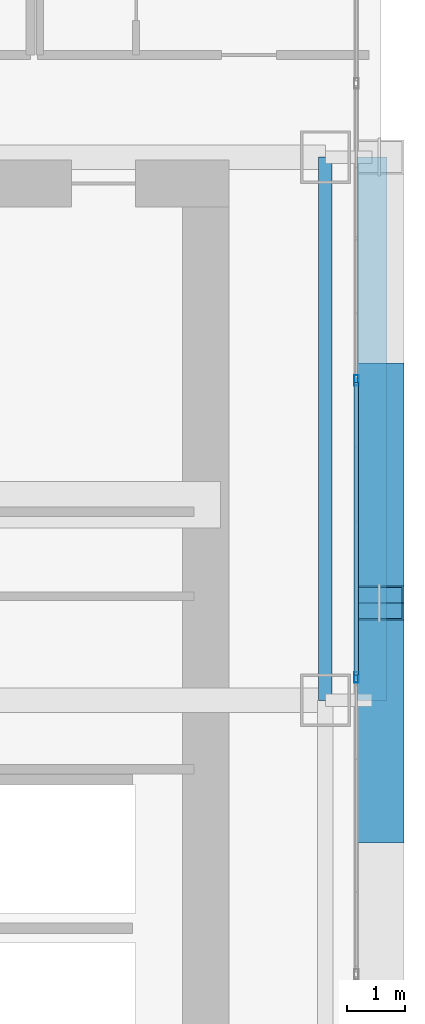
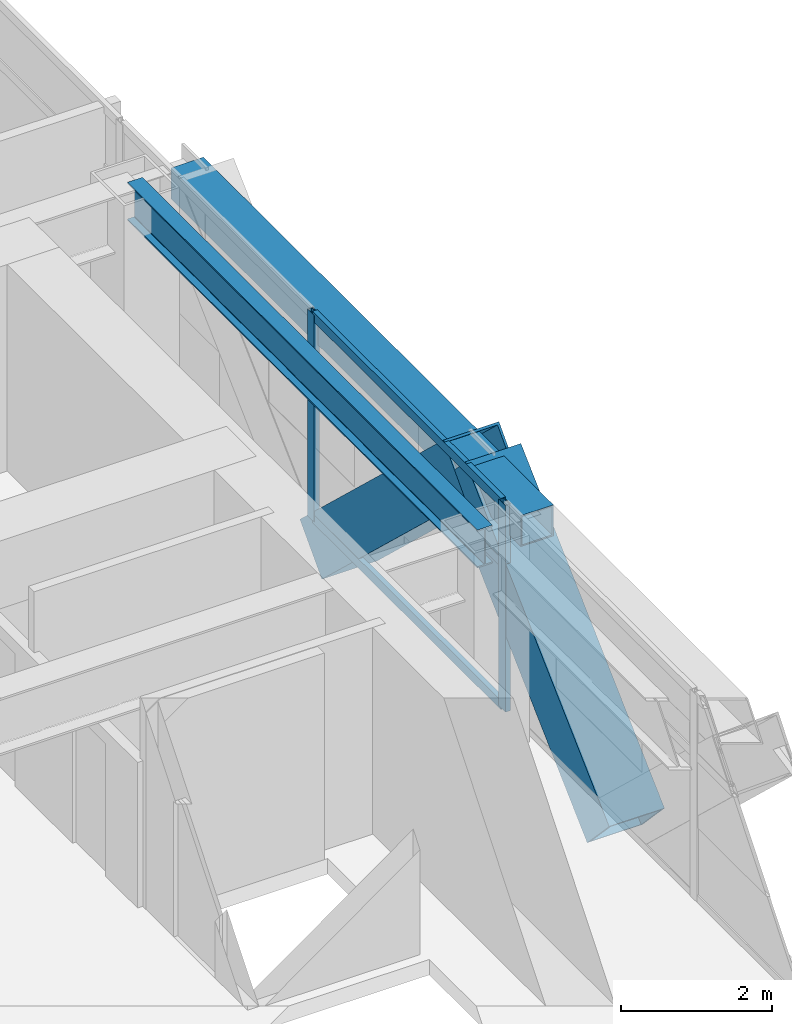
# One storey, part 18 of 41: 7 members, 2 beams, 1 element without a shape of its own.
"""IFC4 building model written with IfcOpenShell, lengths in metres."""

from ifc_helpers import new_model, si_unit, direction, frame, origin, origin_2d, place, context, subcontext, project, spatial, hollow_rectangle, i_section, extrude, source, transform, mapped, material, layer, layer_set, material_profile, profile_set, type_object, element, aggregate, save


model = new_model("IFC4")

# Units and contexts
model_context = context("Model", 3, precision=1e-05, world=origin(), true_north=direction((0.0, 1.0)))
body_context = subcontext(model_context, "Body", "Model", "MODEL_VIEW")
ifc_project = project(units=[si_unit("LENGTHUNIT", "METRE"), si_unit("AREAUNIT", "SQUARE_METRE"), si_unit("VOLUMEUNIT", "CUBIC_METRE"), si_unit("PLANEANGLEUNIT", "RADIAN"), si_unit("MASSUNIT", "GRAM", prefix="KILO")], contexts=[model_context])

# Site, building, storey
site_placement = place(None, origin())
site = spatial("IfcSite", under=ifc_project, at=site_placement, CompositionType="ELEMENT")
building_placement = place(site_placement, origin())
building = spatial("IfcBuilding", under=site, at=building_placement, Name="Ocotamira Hotel", CompositionType="ELEMENT")
storey_placement = place(building_placement, frame((0.0, 0.0, 67.199951171875)))
storey = spatial("IfcBuildingStorey", under=building, at=storey_placement, Name="L16", CompositionType="ELEMENT", Elevation=67.199951171875)

# Beams
ifc_material_1 = material(Name="Steel ASTM A992 Grade 50", Category="steel")
ifc_material_profile_1 = material_profile(ifc_material_1, i_section(OverallWidth=0.22998046875, OverallDepth=0.616943359375, WebThickness=0.01318359375, FlangeThickness=0.022216796875, FilletRadius=0.012939453125, at=origin_2d()), Name="W24X94")
ifc_profile_set_1 = profile_set([ifc_material_profile_1], Name="Steel ASTM A992 Grade 50")
beam_type_1 = type_object("IfcBeamType", Name="BM-PRIM-W24X94", PredefinedType="BEAM", material=ifc_profile_set_1)
shared_shape_1 = source(origin(), body_context, "Body", "SweptSolid", [
    extrude(i_section(OverallWidth=0.22998046875, OverallDepth=0.616943359375, WebThickness=0.01318359375, FlangeThickness=0.022216796875, FilletRadius=0.012939453125, at=origin_2d()), origin(), (0.0, 0.0, 1.0), 9.300048828125),
])
beam_1_placement = place(storey_placement, frame((55.050048828125, 28.14990234375, 3.04150390625), z_axis=(0.0, 1.0, 0.0), x_axis=(-1.0, 0.0, 0.0)))
element("IfcBeam", 1, at=beam_1_placement, inside=storey, type_object=beam_type_1, Name="L16 Beam X55.05 Y28.15-37.45", PredefinedType="BEAM", context=body_context, shape_type="MappedRepresentation", body=[
    mapped(shared_shape_1, transform((0.0, 0.0, 0.0), scale=1.0)),
])
ifc_material_2 = material(Name="Steel ASTM A500 Grade C", Category="steel")
ifc_material_profile_2 = material_profile(ifc_material_2, hollow_rectangle(XDim=0.5, YDim=0.5, WallThickness=0.02001953125, at=origin_2d()), Name="HSS500X500X20")
ifc_profile_set_2 = profile_set([ifc_material_profile_2], Name="Steel ASTM A500 Grade C")
beam_type_2 = type_object("IfcBeamType", Name="BM-SPAN-HSS500", PredefinedType="USERDEFINED", material=ifc_profile_set_2)
shared_shape_2 = source(origin(), body_context, "Body", "SweptSolid", [
    extrude(hollow_rectangle(XDim=0.5, YDim=0.5, WallThickness=0.02001953125, at=origin_2d()), origin(), (0.0, 0.0, 1.0), 9.300048828125),
])
beam_2_placement = place(storey_placement, frame((55.85009765625, 28.14990234375, 3.10009765625), z_axis=(0.0, 1.0, 0.0), x_axis=(-1.0, 0.0, 0.0)))
element("IfcBeam", 2, at=beam_2_placement, inside=storey, type_object=beam_type_2, Name="L16 Edge Spandrel E Y28.15-37.45", ObjectType="SPANDREL", PredefinedType="USERDEFINED", context=body_context, shape_type="MappedRepresentation", body=[
    mapped(shared_shape_2, transform((0.0, 0.0, 0.0), scale=1.0)),
])

# Members
ifc_material_3 = material(Name="Pale-metal coated steel ASTM A913 Grade 65", Category="steel")
ifc_material_profile_3 = material_profile(ifc_material_3, hollow_rectangle(XDim=0.85009765625, YDim=0.85009765625, WallThickness=0.035888671875, at=origin_2d()), Name="BOX850X850X36")
ifc_profile_set_3 = profile_set([ifc_material_profile_3], Name="Pale-metal coated steel ASTM A913 Grade 65")
member_type_1 = type_object("IfcMemberType", Name="MEM-EXO-BOX850", PredefinedType="BRACE", material=ifc_profile_set_3)
shared_shape_3 = source(origin(), body_context, "Body", "SweptSolid", [
    extrude(hollow_rectangle(XDim=0.85009765625, YDim=0.85009765625, WallThickness=0.035888671875, at=origin_2d()), origin(), (0.0, 0.0, 1.0), 5.24658203125),
])
for number, where, z_axis, x_axis, name in (
    (3, (55.969970703125, 26.0, -0.5), (0.0, 0.727442733726, 0.686168397078), (-1.0, 0.0, 0.0), "L16 Exoskeleton Diagrid E1.2"),
    (4, (55.969970703125, 33.63330078125, -0.5), (0.0, -0.727442733726, 0.686168397078), (1.0, 0.0, 0.0), "L16 Exoskeleton Diagrid E2.1"),
):
    element("IfcMember", number, at=place(storey_placement, frame(where, z_axis=z_axis, x_axis=x_axis)), inside=storey, type_object=member_type_1, Name=name, PredefinedType="BRACE", context=body_context, shape_type="MappedRepresentation", body=[
        mapped(shared_shape_3, transform((0.0, 0.0, 0.0), scale=1.0)),
    ])

# Curtain wall, members
ifc_material_4 = material(Name="Anodised pale-metal aluminium and solar glass", Category="aluminium")
ifc_layer = layer(ifc_material_4, 0.179931640625)
ifc_layer_set = layer_set([ifc_layer], Name="Anodised pale-metal aluminium and solar glass")
curtain_wall_type = type_object("IfcCurtainWallType", Name="CW-SYS2-Z1", PredefinedType="NOTDEFINED", material=ifc_layer_set)
curtain_wall_placement = place(storey_placement, origin())
curtain_wall = element("IfcCurtainWall", 5, at=curtain_wall_placement, inside=storey, type_object=curtain_wall_type, Name="L16 Curtain Wall CW-2 CW-L16-E", PredefinedType="NOTDEFINED")
ifc_material_5 = material(Name="Anodised pale-metal aluminium 6063-T6", Category="aluminium")
ifc_material_profile_4 = material_profile(ifc_material_5, hollow_rectangle(XDim=0.074951171875, YDim=0.14990234375, WallThickness=0.006103515625, at=origin_2d()), Name="HSS150X75X6")
ifc_profile_set_4 = profile_set([ifc_material_profile_4], Name="Anodised pale-metal aluminium 6063-T6")
member_type_2 = type_object("IfcMemberType", Name="CWT-150X75", PredefinedType="USERDEFINED", material=ifc_profile_set_4)
shared_shape_4 = source(origin(), body_context, "Body", "SweptSolid", [
    extrude(hollow_rectangle(XDim=0.074951171875, YDim=0.14990234375, WallThickness=0.006103515625, at=origin_2d()), origin(), (0.0, 0.0, 1.0), 5.005859375),
])
member_1_placement = place(storey_placement, frame((55.580078125, 28.582763671875, 0.03759765625), z_axis=(0.0, 1.0, 0.0), x_axis=(-1.0, 0.0, 0.0)))
member_1 = element("IfcMember", 6, at=member_1_placement, type_object=member_type_2, Name="CW-2 transom 5.1", ObjectType="TRANSOM", PredefinedType="USERDEFINED", context=body_context, shape_type="MappedRepresentation", body=[
    mapped(shared_shape_4, transform((0.0, 0.0, 0.0), scale=1.0)),
])
member_2_placement = place(storey_placement, frame((55.580078125, 28.582763671875, 2.35009765625), z_axis=(0.0, 1.0, 0.0), x_axis=(-1.0, 0.0, 0.0)))
member_2 = element("IfcMember", 7, at=member_2_placement, type_object=member_type_2, Name="CW-2 transom 5.2", ObjectType="TRANSOM", PredefinedType="USERDEFINED", context=body_context, shape_type="MappedRepresentation", body=[
    mapped(shared_shape_4, transform((0.0, 0.0, 0.0), scale=1.0)),
])
member_3_placement = place(storey_placement, frame((55.580078125, 28.582763671875, 3.3125), z_axis=(0.0, 1.0, 0.0), x_axis=(-1.0, 0.0, 0.0)))
member_3 = element("IfcMember", 8, at=member_3_placement, type_object=member_type_2, Name="CW-2 transom 5.3", ObjectType="TRANSOM", PredefinedType="USERDEFINED", context=body_context, shape_type="MappedRepresentation", body=[
    mapped(shared_shape_4, transform((0.0, 0.0, 0.0), scale=1.0)),
])
ifc_material_profile_5 = material_profile(ifc_material_5, hollow_rectangle(XDim=0.080078125, YDim=0.179931640625, WallThickness=0.006103515625, at=origin_2d()), Name="HSS180X80X6")
ifc_profile_set_5 = profile_set([ifc_material_profile_5], Name="Anodised pale-metal aluminium 6063-T6")
member_type_3 = type_object("IfcMemberType", Name="CWM-180X75", PredefinedType="MULLION", material=ifc_profile_set_5)
shared_shape_5 = source(origin(), body_context, "Body", "SweptSolid", [
    extrude(hollow_rectangle(XDim=0.080078125, YDim=0.179931640625, WallThickness=0.006103515625, at=origin_2d()), origin(), (0.0, 0.0, 1.0), 3.35009765625),
])
member_4_placement = place(storey_placement, frame((55.580078125, 28.54296875, 0.0), z_axis=(0.0, 0.0, 1.0), x_axis=(-1.0, 0.0, 0.0)))
member_4 = element("IfcMember", 9, at=member_4_placement, type_object=member_type_3, Name="CW-2 mullion 5", PredefinedType="MULLION", context=body_context, shape_type="MappedRepresentation", body=[
    mapped(shared_shape_5, transform((0.0, 0.0, 0.0), scale=1.0)),
])
member_5_placement = place(storey_placement, frame((55.580078125, 33.628662109375, 0.0), z_axis=(0.0, 0.0, 1.0), x_axis=(-1.0, 0.0, 0.0)))
member_5 = element("IfcMember", 10, at=member_5_placement, type_object=member_type_3, Name="CW-2 mullion 6", PredefinedType="MULLION", context=body_context, shape_type="MappedRepresentation", body=[
    mapped(shared_shape_5, transform((0.0, 0.0, 0.0), scale=1.0)),
])
aggregate(curtain_wall, [member_4, member_5, member_1, member_2, member_3])

save(model, "model.ifc")
